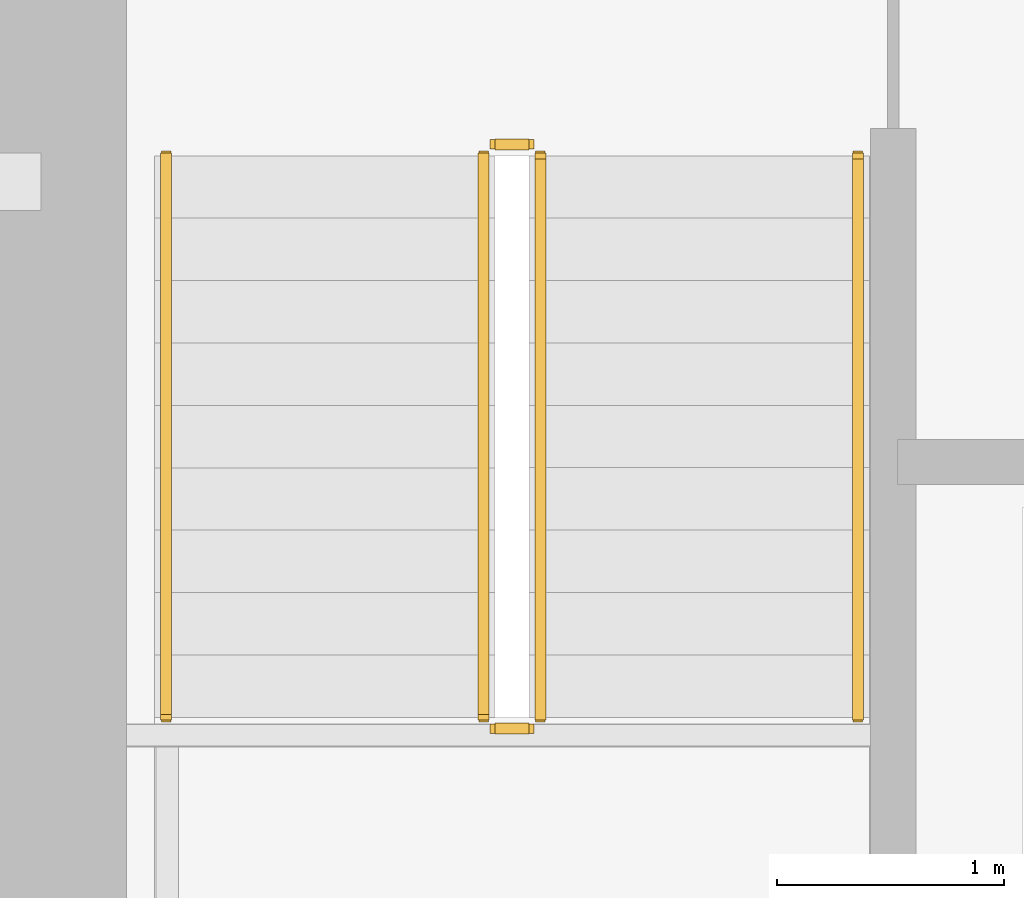
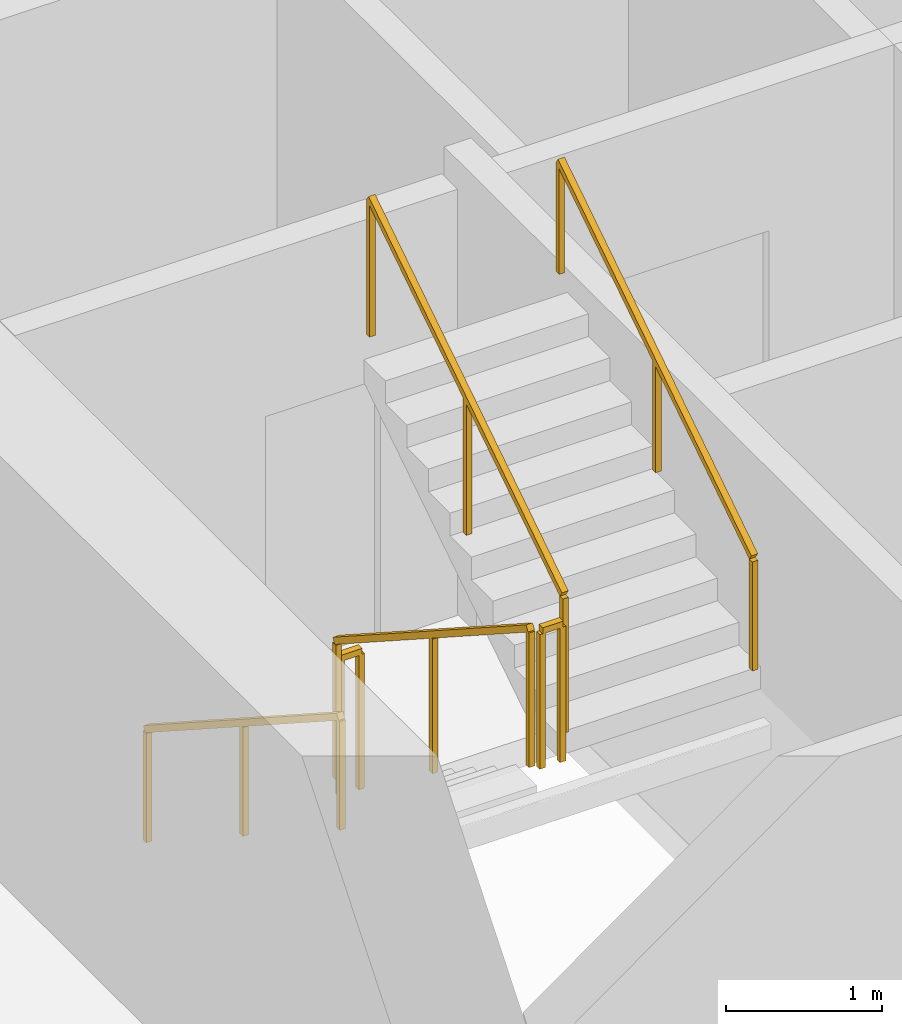
# One storey, part 11 of 13: 6 railings.
"""IFC4 building model written with IfcOpenShell, lengths in metres."""

import ifcopenshell
import ifcopenshell.guid

model = None  # the IFC model being written
_history = None  # IfcOwnerHistory: only IFC2X3 demands one
_inside = {}  # id of a spatial element -> (the spatial element, [elements in it])
_under = {}  # id of a project, library or spatial element -> (it, [spatial elements below it])
_declared = {}  # id of a project -> (the project, [libraries it declares])
_typed = {}  # id of a type object -> (the type object, [elements of that type])
_made_of = {}  # id of a material, layer set ... -> (it, [elements and type objects made of it])


def new_model(schema):
    """Start an empty IFC model of exactly this schema.

    Asked for "IFC4X3", IfcOpenShell would pick the latest addendum, in which some entities
    have other attributes; the version numbers below select the first issue.
    IFC2X3 requires an IfcOwnerHistory on every rooted entity: one is made here for all.
    """
    global model, _history
    if schema == "IFC4X3":
        model = ifcopenshell.file(schema_version=(4, 3, 0, 0))
    else:
        model = ifcopenshell.file(schema=schema)
    _inside.clear()
    _under.clear()
    _declared.clear()
    _typed.clear()
    _made_of.clear()
    _history = None
    if model.schema == "IFC2X3":
        org = make("IfcOrganization", Name="unknown")
        user = make(
            "IfcPersonAndOrganization",
            ThePerson=make("IfcPerson", FamilyName="unknown"),
            TheOrganization=org,
        )
        app = make(
            "IfcApplication",
            ApplicationDeveloper=org,
            Version="unknown",
            ApplicationFullName="unknown",
            ApplicationIdentifier="unknown",
        )
        _history = make(
            "IfcOwnerHistory",
            OwningUser=user,
            OwningApplication=app,
            ChangeAction="ADDED",
            CreationDate=0,
        )
    return model


def make(cls, **values):
    """One entity of the class cls with the attributes given. An attribute that is None is left unset."""
    return model.create_entity(
        cls, **{name: value for name, value in values.items() if value is not None}
    )


def rooted(cls, **values):
    """An entity with a GlobalId (a new one), such as an element, a storey or a relation."""
    return make(cls, GlobalId=ifcopenshell.guid.new(), OwnerHistory=_history, **values)


def si_unit(unit_type, name, prefix=None):
    """IfcSIUnit, for example si_unit("LENGTHUNIT", "METRE", prefix="MILLI")."""
    return make("IfcSIUnit", UnitType=unit_type, Prefix=prefix, Name=name)


def assignment(units):
    """IfcUnitAssignment: the units of a project."""
    return None if units is None else make("IfcUnitAssignment", Units=units)


def point(xyz):
    """IfcCartesianPoint."""
    return None if xyz is None else make("IfcCartesianPoint", Coordinates=xyz)


def direction(xyz):
    """IfcDirection."""
    return None if xyz is None else make("IfcDirection", DirectionRatios=xyz)


def frame(location, z_axis=None, x_axis=None):
    """IfcAxis2Placement3D, a coordinate frame: its origin and axes. An axis left out is left unset."""
    return make(
        "IfcAxis2Placement3D",
        Location=point(location),
        Axis=direction(z_axis),
        RefDirection=direction(x_axis),
    )


def frame_2d(location, x_axis=None):
    """IfcAxis2Placement2D, a coordinate frame in the plane: its origin and x axis."""
    return make(
        "IfcAxis2Placement2D", Location=point(location), RefDirection=direction(x_axis)
    )


def origin():
    """The frame at (0, 0, 0) with its axes left unset."""
    return frame((0.0, 0.0, 0.0))


def origin_2d():
    """The frame at (0, 0) in the plane with its x axis left unset."""
    return frame_2d((0.0, 0.0))


def place(relative_to, where):
    """IfcLocalPlacement: puts the frame where relative to a parent placement (None: the world)."""
    return make(
        "IfcLocalPlacement", PlacementRelTo=relative_to, RelativePlacement=where
    )


def context(
    kind, dimensions, precision=None, world=None, true_north=None, identifier=None
):
    """IfcGeometricRepresentationContext, for example the 3D "Model" context."""
    return make(
        "IfcGeometricRepresentationContext",
        ContextIdentifier=identifier,
        ContextType=kind,
        CoordinateSpaceDimension=dimensions,
        Precision=precision,
        WorldCoordinateSystem=world,
        TrueNorth=true_north,
    )


def subcontext(parent, identifier, kind, view, scale=None):
    """IfcGeometricRepresentationSubContext, for example "Body" below "Model"."""
    return make(
        "IfcGeometricRepresentationSubContext",
        ContextIdentifier=identifier,
        ContextType=kind,
        ParentContext=parent,
        TargetScale=scale,
        TargetView=view,
    )


def project(units=None, contexts=None):
    """IfcProject with its units and contexts."""
    return rooted(
        "IfcProject",
        Name="project",
        RepresentationContexts=contexts,
        UnitsInContext=assignment(units),
    )


def spatial(cls, under=None, at=None, **own):
    """A site, building, storey or space (cls), placed at a placement, below another one or the project."""
    s = rooted(cls, ObjectPlacement=at, **own)
    if under is not None:
        _under.setdefault(under.id(), (under, []))[1].append(s)
    return s


def profile(cls, at=None, kind="AREA", **sizes):
    """A parametric profile (cls). Its sizes go by their IFC names, for example OverallWidth=200.0."""
    return make(cls, ProfileType=kind, Position=at, **sizes)


def rectangle(**sizes):
    """IfcRectangleProfileDef."""
    return profile("IfcRectangleProfileDef", **sizes)


def extrude(swept, where, along, depth):
    """IfcExtrudedAreaSolid: the profile swept, set in the frame where, extruded along a direction by depth."""
    return make(
        "IfcExtrudedAreaSolid",
        SweptArea=swept,
        Position=where,
        ExtrudedDirection=direction(along),
        Depth=depth,
    )


def shape(context_of_items, identifier, shape_type, items):
    """IfcShapeRepresentation: the items that make up one representation, for example the "Body"."""
    return make(
        "IfcShapeRepresentation",
        ContextOfItems=context_of_items,
        RepresentationIdentifier=identifier,
        RepresentationType=shape_type,
        Items=items,
    )


def material(Name=None, Category=None):
    """IfcMaterial."""
    return make("IfcMaterial", Name=Name, Category=Category)


def made_of(thing, what):
    """Note that an element or type object is made of a material, layer set ...; save() writes the relation."""
    if what is not None:
        _made_of.setdefault(what.id(), (what, []))[1].append(thing)
    return thing


def type_object(cls, material=None, **own):
    """A type object (cls), such as IfcWallType, which elements share."""
    return made_of(rooted(cls, **own), material)


def element(
    cls,
    number,
    at=None,
    inside=None,
    cuts=None,
    type_object=None,
    material=None,
    context=None,
    identifier="Body",
    shape_type=None,
    held_by="IfcProductDefinitionShape",
    body=None,
    shapes=None,
    **own,
):
    """One element of the class cls, such as IfcWall. Its Tag is "e" and its number.

    at: its placement. inside: the storey or other place that contains it. cuts: it is an
    opening in that element (IfcRelVoidsElement). A single representation is given by context,
    identifier, shape_type and body (its items); several are given by shapes. held_by: the class
    of the entity that holds the representations. save() writes the other relations.
    """
    e = rooted(cls, Tag="e%d" % number, ObjectPlacement=at, **own)
    if body is not None:
        shapes = [shape(context, identifier, shape_type, body)]
    if shapes is not None:
        e.Representation = make(held_by, Representations=shapes)
    if inside is not None:
        _inside.setdefault(inside.id(), (inside, []))[1].append(e)
    if cuts is not None:
        rooted(
            "IfcRelVoidsElement", RelatingBuildingElement=cuts, RelatedOpeningElement=e
        )
    if type_object is not None:
        _typed.setdefault(type_object.id(), (type_object, []))[1].append(e)
    return made_of(e, material)


def aggregate(whole, parts):
    """IfcRelAggregates: a whole, such as a stair, and the parts it consists of."""
    return rooted("IfcRelAggregates", RelatingObject=whole, RelatedObjects=parts)


def save(model, path):
    """Write the relations noted so far, then the file.

    IfcRelAggregates (storeys below a building ...), IfcRelContainedInSpatialStructure (elements
    in a storey), IfcRelDefinesByType, IfcRelAssociatesMaterial and IfcRelDeclares: one each for
    every whole, place, type object, material and project.
    """
    for whole, parts in _under.values():
        aggregate(whole, parts)
    for where, things in _inside.values():
        rooted(
            "IfcRelContainedInSpatialStructure",
            RelatedElements=things,
            RelatingStructure=where,
        )
    for kind, things in _typed.values():
        rooted("IfcRelDefinesByType", RelatedObjects=things, RelatingType=kind)
    for what, things in _made_of.values():
        rooted("IfcRelAssociatesMaterial", RelatedObjects=things, RelatingMaterial=what)
    for by, libraries in _declared.values():
        rooted("IfcRelDeclares", RelatingContext=by, RelatedDefinitions=libraries)
    model.write(path)


model = new_model("IFC4")

# Units and contexts
model_context = context("Model", 3, precision=1e-05, world=origin(), true_north=direction((0.0, 1.0)))
body_context = subcontext(model_context, "Body", "Model", "MODEL_VIEW")
ifc_project = project(units=[si_unit("LENGTHUNIT", "METRE"), si_unit("AREAUNIT", "SQUARE_METRE"), si_unit("VOLUMEUNIT", "CUBIC_METRE"), si_unit("PLANEANGLEUNIT", "RADIAN"), si_unit("MASSUNIT", "GRAM", prefix="KILO")], contexts=[model_context])

# Site, building, storey
site_placement = place(None, origin())
site = spatial("IfcSite", under=ifc_project, at=site_placement, CompositionType="ELEMENT")
building_placement = place(site_placement, origin())
building = spatial("IfcBuilding", under=site, at=building_placement, Name="Cinnabar Lancet Tower", CompositionType="ELEMENT")
storey_placement = place(building_placement, frame((0.0, 0.0, 80.0)))
storey = spatial("IfcBuildingStorey", under=building, at=storey_placement, Name="L20", CompositionType="ELEMENT", Elevation=80.0)

# Railings
ifc_material_1 = material(Name="Painted galvanized steel balustrade", Category="steel")
railing_type_1 = type_object("IfcRailingType", Name="GUARD-STAIR", PredefinedType="GUARDRAIL", material=ifc_material_1)
railing_1_placement = place(storey_placement, frame((24.97509765625, 28.39990234375, 0.177490234375)))
element("IfcRailing", 1, at=railing_1_placement, inside=storey, type_object=railing_type_1, Name="L20 ST-1 stair guard 1", PredefinedType="GUARDRAIL", context=body_context, shape_type="SweptSolid", body=[
    extrude(rectangle(XDim=0.048095703125, YDim=0.048095703125, at=origin_2d()), frame((0.0, 0.0, 1.076171875), z_axis=(0.0, -0.840183358697, 0.542302428327), x_axis=(1.0, 0.0, 0.0)), (0.0, 0.0, 1.0), 2.945556640625),
    extrude(rectangle(XDim=0.0419921875, YDim=0.0419921875, at=origin_2d()), origin(), (0.0, 0.0, 1.0), 1.052001953125),
    extrude(rectangle(XDim=0.0419921875, YDim=0.0419921875, at=origin_2d()), frame((0.0, -1.2373046875, 0.798828125)), (0.0, 0.0, 1.0), 1.052001953125),
    extrude(rectangle(XDim=0.0419921875, YDim=0.0419921875, at=origin_2d()), frame((0.0, -2.474853515625, 1.597412109375)), (0.0, 0.0, 1.0), 1.052001953125),
])
railing_2_placement = place(storey_placement, frame((25.02490234375, 25.875, 1.77490234375)))
element("IfcRailing", 2, at=railing_2_placement, inside=storey, type_object=railing_type_1, Name="L20 ST-1 stair guard 2", PredefinedType="GUARDRAIL", context=body_context, shape_type="SweptSolid", body=[
    extrude(rectangle(XDim=0.048095703125, YDim=0.048095703125, at=origin_2d()), frame((0.0, 0.0, 1.076171875), z_axis=(1.0, 0.0, 0.0), x_axis=(0.0, 1.0, 0.0)), (0.0, 0.0, 1.0), 0.150146484375),
    extrude(rectangle(XDim=0.0419921875, YDim=0.0419921875, at=origin_2d()), origin(), (0.0, 0.0, 1.0), 1.052001953125),
    extrude(rectangle(XDim=0.0419921875, YDim=0.0419921875, at=origin_2d()), frame((0.150146484375, 0.0, 0.0)), (0.0, 0.0, 1.0), 1.052001953125),
])
railing_3_placement = place(storey_placement, frame((25.22509765625, 25.925048828125, 1.952392578125)))
element("IfcRailing", 3, at=railing_3_placement, inside=storey, type_object=railing_type_1, Name="L20 ST-1 stair guard 3", PredefinedType="GUARDRAIL", context=body_context, shape_type="SweptSolid", body=[
    extrude(rectangle(XDim=0.048095703125, YDim=0.048095703125, at=origin_2d()), frame((0.0, 0.0, 1.076171875), z_axis=(0.0, 0.84014559416, 0.542360932049), x_axis=(-1.0, 0.0, 0.0)), (0.0, 0.0, 1.0), 2.94580078125),
    extrude(rectangle(XDim=0.0419921875, YDim=0.0419921875, at=origin_2d()), origin(), (0.0, 0.0, 1.0), 1.052001953125),
    extrude(rectangle(XDim=0.0419921875, YDim=0.0419921875, at=origin_2d()), frame((0.0, 1.2373046875, 0.798828125)), (0.0, 0.0, 1.0), 1.052001953125),
    extrude(rectangle(XDim=0.0419921875, YDim=0.0419921875, at=origin_2d()), frame((0.0, 2.474853515625, 1.59765625)), (0.0, 0.0, 1.0), 1.052001953125),
])
railing_4_placement = place(storey_placement, frame((25.02490234375, 28.449951171875, 0.0)))
element("IfcRailing", 4, at=railing_4_placement, inside=storey, type_object=railing_type_1, Name="L20 ST-1 stair guard 4", PredefinedType="GUARDRAIL", context=body_context, shape_type="SweptSolid", body=[
    extrude(rectangle(XDim=0.048095703125, YDim=0.048095703125, at=origin_2d()), frame((0.0, 0.0, 1.076171875), z_axis=(1.0, 0.0, 0.0), x_axis=(0.0, 1.0, 0.0)), (0.0, 0.0, 1.0), 0.150146484375),
    extrude(rectangle(XDim=0.0419921875, YDim=0.0419921875, at=origin_2d()), origin(), (0.0, 0.0, 1.0), 1.052001953125),
    extrude(rectangle(XDim=0.0419921875, YDim=0.0419921875, at=origin_2d()), frame((0.150146484375, 0.0, 0.0)), (0.0, 0.0, 1.0), 1.052001953125),
])
ifc_material_2 = material(Name="Brushed stainless steel handrail", Category="steel")
railing_type_2 = type_object("IfcRailingType", Name="HANDRAIL-STAIR", PredefinedType="HANDRAIL", material=ifc_material_2)
railing_5_placement = place(storey_placement, frame((23.574951171875, 28.39990234375, 0.177490234375)))
element("IfcRailing", 5, at=railing_5_placement, inside=storey, type_object=railing_type_2, Name="L20 ST-1 stair handrail 1", PredefinedType="HANDRAIL", context=body_context, shape_type="SweptSolid", body=[
    extrude(rectangle(XDim=0.048095703125, YDim=0.048095703125, at=origin_2d()), frame((0.0, 0.0, 0.8759765625), z_axis=(0.0, -0.840183358697, 0.542302428327), x_axis=(1.0, 0.0, 0.0)), (0.0, 0.0, 1.0), 2.945556640625),
    extrude(rectangle(XDim=0.0419921875, YDim=0.0419921875, at=origin_2d()), origin(), (0.0, 0.0, 1.0), 0.851806640625),
    extrude(rectangle(XDim=0.0419921875, YDim=0.0419921875, at=origin_2d()), frame((0.0, -1.2373046875, 0.798828125)), (0.0, 0.0, 1.0), 0.851806640625),
    extrude(rectangle(XDim=0.0419921875, YDim=0.0419921875, at=origin_2d()), frame((0.0, -2.474853515625, 1.597412109375)), (0.0, 0.0, 1.0), 0.851806640625),
])
railing_6_placement = place(storey_placement, frame((26.625, 25.925048828125, 1.952392578125)))
element("IfcRailing", 6, at=railing_6_placement, inside=storey, type_object=railing_type_2, Name="L20 ST-1 stair handrail 2", PredefinedType="HANDRAIL", context=body_context, shape_type="SweptSolid", body=[
    extrude(rectangle(XDim=0.048095703125, YDim=0.048095703125, at=origin_2d()), frame((0.0, 0.0, 0.8759765625), z_axis=(0.0, 0.84014559416, 0.542360932049), x_axis=(-1.0, 0.0, 0.0)), (0.0, 0.0, 1.0), 2.94580078125),
    extrude(rectangle(XDim=0.0419921875, YDim=0.0419921875, at=origin_2d()), origin(), (0.0, 0.0, 1.0), 0.851806640625),
    extrude(rectangle(XDim=0.0419921875, YDim=0.0419921875, at=origin_2d()), frame((0.0, 1.2373046875, 0.798828125)), (0.0, 0.0, 1.0), 0.851806640625),
    extrude(rectangle(XDim=0.0419921875, YDim=0.0419921875, at=origin_2d()), frame((0.0, 2.474853515625, 1.59765625)), (0.0, 0.0, 1.0), 0.851806640625),
])

save(model, "model.ifc")
